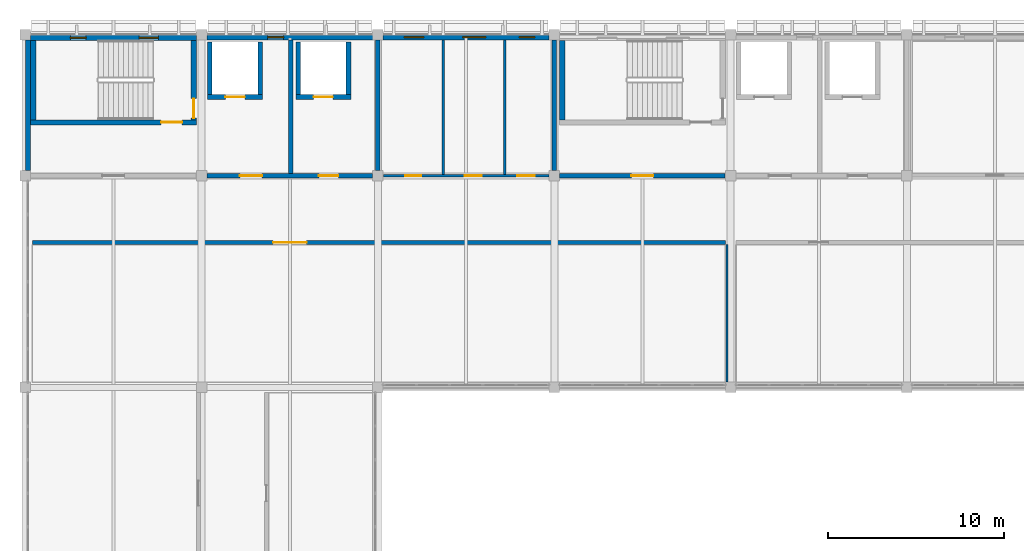
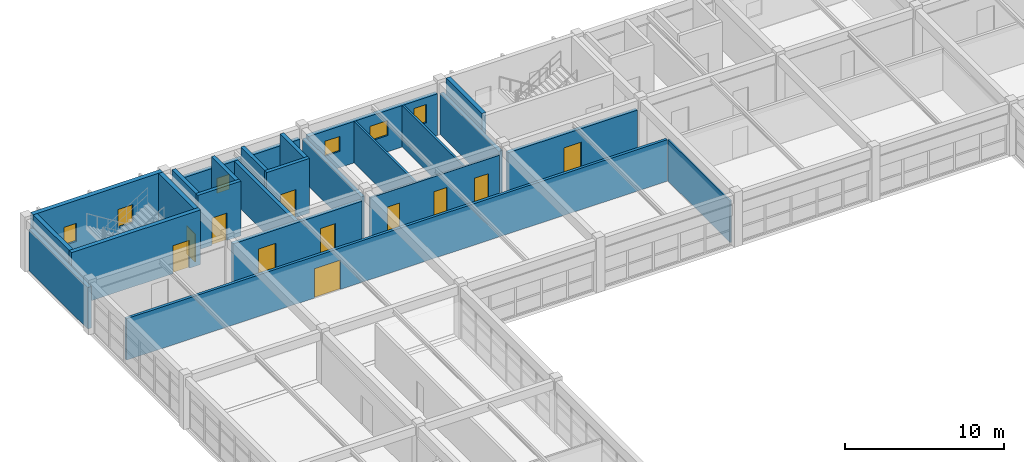
# One storey, part 21 of 28: 24 walls, 11 doors, 6 windows, 17 openings.
"""IFC4 building model written with IfcOpenShell, lengths in metres."""

from ifc_helpers import new_model, si_unit, direction, frame, frame_2d, origin, place, context, subcontext, project, spatial, rectangle, extrude, material, layer, layer_set, type_object, element, fill, save


model = new_model("IFC4")

# Units and contexts
model_context = context("Model", 3, precision=1e-05, world=origin(), true_north=direction((0.0, 1.0)))
body_context = subcontext(model_context, "Body", "Model", "MODEL_VIEW")
ifc_project = project(units=[si_unit("LENGTHUNIT", "METRE"), si_unit("AREAUNIT", "SQUARE_METRE"), si_unit("VOLUMEUNIT", "CUBIC_METRE"), si_unit("PLANEANGLEUNIT", "RADIAN"), si_unit("MASSUNIT", "GRAM", prefix="KILO")], contexts=[model_context])

# Site, building, storey
site_placement = place(None, origin())
site = spatial("IfcSite", under=ifc_project, at=site_placement, CompositionType="ELEMENT")
building_placement = place(site_placement, origin())
building = spatial("IfcBuilding", under=site, at=building_placement, Name="Kivolera Central Railway Station", CompositionType="ELEMENT")
storey_placement = place(building_placement, frame((0.0, 0.0, 18.60009765625)))
storey = spatial("IfcBuildingStorey", under=building, at=storey_placement, Name="L04", CompositionType="ELEMENT", Elevation=18.60009765625)

# Wall, opening, door
ifc_material_1 = material(Name="Swahili coral limestone", Category="masonry")
ifc_layer_1 = layer(ifc_material_1, 0.199951171875, Name="Swahili coral limestone")
ifc_layer_set_1 = layer_set([ifc_layer_1], Name="Swahili coral limestone")
wall_type_1 = type_object("IfcWallType", Name="WL-COR-200", PredefinedType="PARTITIONING", material=ifc_layer_set_1)
wall_1_placement = place(storey_placement, frame((118.39990234375, 122.219970703125, 0.0), z_axis=(0.0, 0.0, 1.0), x_axis=(1.0, 0.0, 0.0)))
wall_1 = element("IfcWall", 1, at=wall_1_placement, inside=storey, type_object=wall_type_1, Name="L04 Central Traffic Control Operations Office Corridor Wall", PredefinedType="PARTITIONING", context=body_context, shape_type="SweptSolid", body=[
    extrude(rectangle(XDim=39.300048828125, YDim=0.199951171875, at=frame_2d((19.64990234375, 0.0))), origin(), (0.0, 0.0, 1.0), 3.18798828125),
])
opening_1_placement = place(wall_1_placement, frame((13.64990234375, 0.0, 0.0)))
opening_1 = element("IfcOpeningElement", 2, at=opening_1_placement, cuts=wall_1, Name="Opening D-DB-05", PredefinedType="OPENING", context=body_context, shape_type="SweptSolid", body=[
    extrude(rectangle(XDim=1.89990234375, YDim=2.25, at=frame_2d((0.949951171875, 1.125))), frame((0.0, 0.10986328125, 0.0), z_axis=(0.0, -1.0, 0.0), x_axis=(1.0, 0.0, 0.0)), (0.0, 0.0, 1.0), 0.219970703125),
])
ifc_material_2 = material(Name="Anodised aluminium", Category="aluminium")
door_type_1 = type_object("IfcDoorType", Name="DR-D-DB-05", OperationType="NOTDEFINED", PredefinedType="DOOR", material=ifc_material_2)
door_1_placement = place(opening_1_placement, origin())
door_1 = element("IfcDoor", 3, at=door_1_placement, inside=storey, type_object=door_type_1, Name="L04 Central Traffic Control Operations Office Door", OperationType="DOUBLE_DOOR_SINGLE_SWING", OverallHeight=2.25, OverallWidth=1.89990234375, PredefinedType="DOOR", context=body_context, shape_type="SweptSolid", body=[
    extrude(rectangle(XDim=1.89990234375, YDim=2.25, at=frame_2d((0.949951171875, 1.125))), frame((0.0, 0.02490234375, 0.0), z_axis=(0.0, -1.0, 0.0), x_axis=(1.0, 0.0, 0.0)), (0.0, 0.0, 1.0), 0.050048828125),
])
fill(opening_1, door_1)

ifc_material_3 = material(Name="Concrete C40/50", Category="concrete")
ifc_layer_2 = layer(ifc_material_3, 0.300048828125, Name="Concrete C40/50")
ifc_layer_set_2 = layer_set([ifc_layer_2], Name="Concrete C40/50")
wall_type_2 = type_object("IfcWallType", Name="WL-CORE-300", PredefinedType="SHEAR", material=ifc_layer_set_2)
wall_2_placement = place(storey_placement, frame((127.699951171875, 129.030029296875, 0.0), z_axis=(0.0, 0.0, 1.0), x_axis=(-1.0, 0.0, 0.0)))
wall_2 = element("IfcWall", 4, at=wall_2_placement, inside=storey, type_object=wall_type_2, Name="L04 ST1 Core Right Shear Wall", PredefinedType="SHEAR", context=body_context, shape_type="SweptSolid", body=[
    extrude(rectangle(XDim=9.39990234375, YDim=0.300048828125, at=frame_2d((4.699951171875, 0.0))), origin(), (0.0, 0.0, 1.0), 4.199951171875),
])
opening_2_placement = place(wall_2_placement, frame((0.800048828125, 0.0, 0.0)))
opening_2 = element("IfcOpeningElement", 5, at=opening_2_placement, cuts=wall_2, Name="Opening D-STAIR-1200", PredefinedType="OPENING", context=body_context, shape_type="SweptSolid", body=[
    extrude(rectangle(XDim=1.199951171875, YDim=2.14990234375, at=frame_2d((0.60009765625, 1.074951171875))), frame((0.0, 0.159912109375, 0.0), z_axis=(0.0, -1.0, 0.0), x_axis=(1.0, 0.0, 0.0)), (0.0, 0.0, 1.0), 0.320068359375),
])
ifc_material_4 = material(Name="Hardwood mvule timber", Category="wood")
door_type_2 = type_object("IfcDoorType", Name="DR-D-STAIR-1200", OperationType="NOTDEFINED", PredefinedType="DOOR", material=ifc_material_4)
door_2_placement = place(opening_2_placement, origin())
door_2 = element("IfcDoor", 6, at=door_2_placement, inside=storey, type_object=door_type_2, Name="L04 ST1 Vestibule Fire Door", OperationType="SINGLE_SWING_LEFT", OverallHeight=2.14990234375, OverallWidth=1.199951171875, PredefinedType="DOOR", context=body_context, shape_type="SweptSolid", body=[
    extrude(rectangle(XDim=1.199951171875, YDim=2.14990234375, at=frame_2d((0.60009765625, 1.074951171875))), frame((0.0, 0.02490234375, 0.0), z_axis=(0.0, -1.0, 0.0), x_axis=(1.0, 0.0, 0.0)), (0.0, 0.0, 1.0), 0.050048828125),
])
fill(opening_2, door_2)

wall_3_placement = place(storey_placement, frame((127.550048828125, 133.679931640625, 0.0), z_axis=(0.0, 0.0, 1.0), x_axis=(0.0, -1.0, 0.0)))
wall_3 = element("IfcWall", 7, at=wall_3_placement, inside=storey, type_object=wall_type_2, Name="L04 ST1 Core Near Shear Wall", PredefinedType="SHEAR", context=body_context, shape_type="SweptSolid", body=[
    extrude(rectangle(XDim=4.5, YDim=0.300048828125, at=frame_2d((2.25, 0.0))), origin(), (0.0, 0.0, 1.0), 4.199951171875),
])
opening_3_placement = place(wall_3_placement, frame((3.300048828125, 0.0, 0.0)))
opening_3 = element("IfcOpeningElement", 8, at=opening_3_placement, cuts=wall_3, Name="Opening D-FFL-1100", PredefinedType="OPENING", context=body_context, shape_type="SweptSolid", body=[
    extrude(rectangle(XDim=1.10009765625, YDim=2.14990234375, at=frame_2d((0.550048828125, 1.074951171875))), frame((0.0, 0.159912109375, 0.0), z_axis=(0.0, -1.0, 0.0), x_axis=(1.0, 0.0, 0.0)), (0.0, 0.0, 1.0), 0.320068359375),
])
door_type_3 = type_object("IfcDoorType", Name="DR-D-FFL-1100", OperationType="NOTDEFINED", PredefinedType="DOOR", material=ifc_material_4)
door_3_placement = place(opening_3_placement, origin())
door_3 = element("IfcDoor", 9, at=door_3_placement, inside=storey, type_object=door_type_3, Name="L04 Firefighting Lobby to ST1 Fire Door", OperationType="SINGLE_SWING_RIGHT", OverallHeight=2.14990234375, OverallWidth=1.10009765625, PredefinedType="DOOR", context=body_context, shape_type="SweptSolid", body=[
    extrude(rectangle(XDim=1.10009765625, YDim=2.14990234375, at=frame_2d((0.550048828125, 1.074951171875))), frame((0.0, 0.02490234375, 0.0), z_axis=(0.0, -1.0, 0.0), x_axis=(1.0, 0.0, 0.0)), (0.0, 0.0, 1.0), 0.050048828125),
])
fill(opening_3, door_3)

# Walls
for number, where, z_axis, x_axis, name in (
    (10, (118.449951171875, 129.179931640625, 0.0), (0.0, 0.0, 1.0), (0.0, 1.0, 0.0), "L04 ST1 Core Far Shear Wall"),
    (11, (148.449951171875, 129.179931640625, 0.0), (0.0, 0.0, 1.0), (0.0, 1.0, 0.0), "L04 ST2 Core Far Shear Wall"),
):
    element("IfcWall", number, at=place(storey_placement, frame(where, z_axis=z_axis, x_axis=x_axis)), inside=storey, type_object=wall_type_2, Name=name, PredefinedType="SHEAR", context=body_context, shape_type="SweptSolid", body=[
        extrude(rectangle(XDim=4.5, YDim=0.300048828125, at=frame_2d((2.25, 0.0))), origin(), (0.0, 0.0, 1.0), 4.199951171875),
    ])

# Wall, openings, windows
ifc_layer_3 = layer(ifc_material_3, 0.320068359375, Name="Concrete C40/50")
ifc_layer_set_3 = layer_set([ifc_layer_3], Name="Concrete C40/50")
wall_type_3 = type_object("IfcWallType", Name="WL-CORE-EXT-320", PredefinedType="SHEAR", material=ifc_layer_set_3)
wall_4_placement = place(storey_placement, frame((118.294921875, 133.840087890625, 0.0), z_axis=(0.0, 0.0, 1.0), x_axis=(1.0, 0.0, 0.0)))
wall_4 = element("IfcWall", 12, at=wall_4_placement, inside=storey, type_object=wall_type_3, Name="L04 North Street Facade Wall Bay 1", PredefinedType="SHEAR", context=body_context, shape_type="SweptSolid", body=[
    extrude(rectangle(XDim=9.41015625, YDim=0.320068359375, at=frame_2d((4.705078125, 0.0))), origin(), (0.0, 0.0, 1.0), 4.199951171875),
])
opening_4_placement = place(wall_4_placement, frame((2.2548828125, 0.0, 1.050048828125)))
opening_4 = element("IfcOpeningElement", 13, at=opening_4_placement, cuts=wall_4, Name="Opening WN-13", PredefinedType="OPENING", context=body_context, shape_type="SweptSolid", body=[
    extrude(rectangle(XDim=0.89990234375, YDim=1.39990234375, at=frame_2d((0.449951171875, 0.699951171875))), frame((0.0, 0.169921875, 0.0), z_axis=(0.0, -1.0, 0.0), x_axis=(1.0, 0.0, 0.0)), (0.0, 0.0, 1.0), 0.340087890625),
])
opening_5_placement = place(wall_4_placement, frame((6.155029296875, 0.0, 1.050048828125)))
opening_5 = element("IfcOpeningElement", 14, at=opening_5_placement, cuts=wall_4, Name="Opening WN-14", PredefinedType="OPENING", context=body_context, shape_type="SweptSolid", body=[
    extrude(rectangle(XDim=1.10009765625, YDim=1.39990234375, at=frame_2d((0.550048828125, 0.699951171875))), frame((0.0, 0.169921875, 0.0), z_axis=(0.0, -1.0, 0.0), x_axis=(1.0, 0.0, 0.0)), (0.0, 0.0, 1.0), 0.340087890625),
])
ifc_material_5 = material(Name="Double low-E laminated glass", Category="glass")
window_type_1 = type_object("IfcWindowType", Name="WIN-WN-13", PartitioningType="SINGLE_PANEL", PredefinedType="WINDOW", material=ifc_material_5)
window_1_placement = place(opening_4_placement, origin())
window_1 = element("IfcWindow", 15, at=window_1_placement, inside=storey, type_object=window_type_1, Name="L04 North Street Window Bay 1.1", OverallHeight=1.39990234375, OverallWidth=0.89990234375, PartitioningType="SINGLE_PANEL", PredefinedType="WINDOW", context=body_context, shape_type="SweptSolid", body=[
    extrude(rectangle(XDim=0.89990234375, YDim=1.39990234375, at=frame_2d((0.449951171875, 0.699951171875))), frame((0.0, 0.030029296875, 0.0), z_axis=(0.0, -1.0, 0.0), x_axis=(1.0, 0.0, 0.0)), (0.0, 0.0, 1.0), 0.06005859375),
])
fill(opening_4, window_1)
window_type_2 = type_object("IfcWindowType", Name="WIN-WN-14", PartitioningType="SINGLE_PANEL", PredefinedType="WINDOW", material=ifc_material_5)
window_2_placement = place(opening_5_placement, origin())
window_2 = element("IfcWindow", 16, at=window_2_placement, inside=storey, type_object=window_type_2, Name="L04 North Street Window Bay 1.2", OverallHeight=1.39990234375, OverallWidth=1.10009765625, PartitioningType="SINGLE_PANEL", PredefinedType="WINDOW", context=body_context, shape_type="SweptSolid", body=[
    extrude(rectangle(XDim=1.10009765625, YDim=1.39990234375, at=frame_2d((0.550048828125, 0.699951171875))), frame((0.0, 0.030029296875, 0.0), z_axis=(0.0, -1.0, 0.0), x_axis=(1.0, 0.0, 0.0)), (0.0, 0.0, 1.0), 0.06005859375),
])
fill(opening_5, window_2)

# Wall, opening, window
ifc_layer_4 = layer(ifc_material_1, 0.2900390625, Name="Swahili coral limestone")
ifc_layer_set_4 = layer_set([ifc_layer_4], Name="Swahili coral limestone")
wall_type_4 = type_object("IfcWallType", Name="WL-EXT-CORAL-290", PredefinedType="SOLIDWALL", material=ifc_layer_set_4)
wall_5_placement = place(storey_placement, frame((128.294921875, 133.85498046875, 0.0), z_axis=(0.0, 0.0, 1.0), x_axis=(1.0, 0.0, 0.0)))
wall_5 = element("IfcWall", 17, at=wall_5_placement, inside=storey, type_object=wall_type_4, Name="L04 North Street Facade Wall Bay 2", PredefinedType="SOLIDWALL", context=body_context, shape_type="SweptSolid", body=[
    extrude(rectangle(XDim=9.41015625, YDim=0.2900390625, at=frame_2d((4.705078125, 0.0))), origin(), (0.0, 0.0, 1.0), 3.18798828125),
])
opening_6_placement = place(wall_5_placement, frame((3.455078125, 0.0, 1.050048828125)))
opening_6 = element("IfcOpeningElement", 18, at=opening_6_placement, cuts=wall_5, Name="Opening WN-01", PredefinedType="OPENING", context=body_context, shape_type="SweptSolid", body=[
    extrude(rectangle(XDim=0.89990234375, YDim=1.14990234375, at=frame_2d((0.449951171875, 0.574951171875))), frame((0.0, 0.155029296875, 0.0), z_axis=(0.0, -1.0, 0.0), x_axis=(1.0, 0.0, 0.0)), (0.0, 0.0, 1.0), 0.31005859375),
])
window_type_3 = type_object("IfcWindowType", Name="WIN-WN-01", PartitioningType="SINGLE_PANEL", PredefinedType="WINDOW", material=ifc_material_5)
window_3_placement = place(opening_6_placement, origin())
window_3 = element("IfcWindow", 19, at=window_3_placement, inside=storey, type_object=window_type_3, Name="L04 North Street Window Bay 2.1", OverallHeight=1.14990234375, OverallWidth=0.89990234375, PartitioningType="SINGLE_PANEL", PredefinedType="WINDOW", context=body_context, shape_type="SweptSolid", body=[
    extrude(rectangle(XDim=0.89990234375, YDim=1.14990234375, at=frame_2d((0.449951171875, 0.574951171875))), frame((0.0, 0.030029296875, 0.0), z_axis=(0.0, -1.0, 0.0), x_axis=(1.0, 0.0, 0.0)), (0.0, 0.0, 1.0), 0.06005859375),
])
fill(opening_6, window_3)

# Wall, openings, windows
wall_6_placement = place(storey_placement, frame((138.294921875, 133.85498046875, 0.0), z_axis=(0.0, 0.0, 1.0), x_axis=(1.0, 0.0, 0.0)))
wall_6 = element("IfcWall", 20, at=wall_6_placement, inside=storey, type_object=wall_type_4, Name="L04 North Street Facade Wall Bay 3", PredefinedType="SOLIDWALL", context=body_context, shape_type="SweptSolid", body=[
    extrude(rectangle(XDim=9.41015625, YDim=0.2900390625, at=frame_2d((4.705078125, 0.0))), origin(), (0.0, 0.0, 1.0), 3.18798828125),
])
opening_7_placement = place(wall_6_placement, frame((1.205078125, 0.0, 1.25)))
opening_7 = element("IfcOpeningElement", 21, at=opening_7_placement, cuts=wall_6, Name="Opening WN-02", PredefinedType="OPENING", context=body_context, shape_type="SweptSolid", body=[
    extrude(rectangle(XDim=1.10009765625, YDim=1.14990234375, at=frame_2d((0.550048828125, 0.574951171875))), frame((0.0, 0.155029296875, 0.0), z_axis=(0.0, -1.0, 0.0), x_axis=(1.0, 0.0, 0.0)), (0.0, 0.0, 1.0), 0.31005859375),
])
opening_8_placement = place(wall_6_placement, frame((4.5048828125, 0.0, 1.25)))
opening_8 = element("IfcOpeningElement", 22, at=opening_8_placement, cuts=wall_6, Name="Opening WN-03", PredefinedType="OPENING", context=body_context, shape_type="SweptSolid", body=[
    extrude(rectangle(XDim=1.300048828125, YDim=1.14990234375, at=frame_2d((0.64990234375, 0.574951171875))), frame((0.0, 0.155029296875, 0.0), z_axis=(0.0, -1.0, 0.0), x_axis=(1.0, 0.0, 0.0)), (0.0, 0.0, 1.0), 0.31005859375),
])
opening_9_placement = place(wall_6_placement, frame((7.705078125, 0.0, 1.25)))
opening_9 = element("IfcOpeningElement", 23, at=opening_9_placement, cuts=wall_6, Name="Opening WN-13", PredefinedType="OPENING", context=body_context, shape_type="SweptSolid", body=[
    extrude(rectangle(XDim=0.89990234375, YDim=1.39990234375, at=frame_2d((0.449951171875, 0.699951171875))), frame((0.0, 0.155029296875, 0.0), z_axis=(0.0, -1.0, 0.0), x_axis=(1.0, 0.0, 0.0)), (0.0, 0.0, 1.0), 0.31005859375),
])
window_type_4 = type_object("IfcWindowType", Name="WIN-WN-02", PartitioningType="SINGLE_PANEL", PredefinedType="WINDOW", material=ifc_material_5)
window_4_placement = place(opening_7_placement, origin())
window_4 = element("IfcWindow", 24, at=window_4_placement, inside=storey, type_object=window_type_4, Name="L04 North Street Window Bay 3.1", OverallHeight=1.14990234375, OverallWidth=1.10009765625, PartitioningType="SINGLE_PANEL", PredefinedType="WINDOW", context=body_context, shape_type="SweptSolid", body=[
    extrude(rectangle(XDim=1.10009765625, YDim=1.14990234375, at=frame_2d((0.550048828125, 0.574951171875))), frame((0.0, 0.030029296875, 0.0), z_axis=(0.0, -1.0, 0.0), x_axis=(1.0, 0.0, 0.0)), (0.0, 0.0, 1.0), 0.06005859375),
])
fill(opening_7, window_4)
window_type_5 = type_object("IfcWindowType", Name="WIN-WN-03", PartitioningType="SINGLE_PANEL", PredefinedType="WINDOW", material=ifc_material_5)
window_5_placement = place(opening_8_placement, origin())
window_5 = element("IfcWindow", 25, at=window_5_placement, inside=storey, type_object=window_type_5, Name="L04 North Street Window Bay 3.2", OverallHeight=1.14990234375, OverallWidth=1.300048828125, PartitioningType="SINGLE_PANEL", PredefinedType="WINDOW", context=body_context, shape_type="SweptSolid", body=[
    extrude(rectangle(XDim=1.300048828125, YDim=1.14990234375, at=frame_2d((0.64990234375, 0.574951171875))), frame((0.0, 0.030029296875, 0.0), z_axis=(0.0, -1.0, 0.0), x_axis=(1.0, 0.0, 0.0)), (0.0, 0.0, 1.0), 0.06005859375),
])
fill(opening_8, window_5)
window_6_placement = place(opening_9_placement, origin())
window_6 = element("IfcWindow", 26, at=window_6_placement, inside=storey, type_object=window_type_1, Name="L04 North Street Window Bay 3.3", OverallHeight=1.39990234375, OverallWidth=0.89990234375, PartitioningType="SINGLE_PANEL", PredefinedType="WINDOW", context=body_context, shape_type="SweptSolid", body=[
    extrude(rectangle(XDim=0.89990234375, YDim=1.39990234375, at=frame_2d((0.449951171875, 0.699951171875))), frame((0.0, 0.030029296875, 0.0), z_axis=(0.0, -1.0, 0.0), x_axis=(1.0, 0.0, 0.0)), (0.0, 0.0, 1.0), 0.06005859375),
])
fill(opening_9, window_6)

# Wall
wall_7_placement = place(storey_placement, frame((118.14501953125, 126.294921875, 0.0), z_axis=(0.0, 0.0, 1.0), x_axis=(0.0, 1.0, 0.0)))
element("IfcWall", 27, at=wall_7_placement, inside=storey, type_object=wall_type_4, Name="L04 West Facade Wall L-M", PredefinedType="SOLIDWALL", context=body_context, shape_type="SweptSolid", body=[
    extrude(rectangle(XDim=7.41015625, YDim=0.2900390625, at=frame_2d((3.705078125, 0.0))), origin(), (0.0, 0.0, 1.0), 3.18798828125),
])

# Wall, openings, doors
ifc_layer_5 = layer(ifc_material_3, 0.25, Name="Concrete C40/50")
ifc_layer_set_5 = layer_set([ifc_layer_5], Name="Concrete C40/50")
wall_type_5 = type_object("IfcWallType", Name="WL-FFL-250", PredefinedType="PARTITIONING", material=ifc_layer_set_5)
wall_8_placement = place(storey_placement, frame((128.304931640625, 126.0, 0.0), z_axis=(0.0, 0.0, 1.0), x_axis=(1.0, 0.0, 0.0)))
wall_8 = element("IfcWall", 28, at=wall_8_placement, inside=storey, type_object=wall_type_5, Name="L04 North Core Corridor Wall 128", PredefinedType="PARTITIONING", context=body_context, shape_type="SweptSolid", body=[
    extrude(rectangle(XDim=9.39013671875, YDim=0.25, at=frame_2d((4.695068359375, 0.0))), origin(), (0.0, 0.0, 1.0), 3.18798828125),
])
opening_10_placement = place(wall_8_placement, frame((1.8701171875, 0.0, 0.0)))
opening_10 = element("IfcOpeningElement", 29, at=opening_10_placement, cuts=wall_8, Name="Opening D-FFL-1250", PredefinedType="OPENING", context=body_context, shape_type="SweptSolid", body=[
    extrude(rectangle(XDim=1.25, YDim=2.14990234375, at=frame_2d((0.625, 1.074951171875))), frame((0.0, 0.135009765625, 0.0), z_axis=(0.0, -1.0, 0.0), x_axis=(1.0, 0.0, 0.0)), (0.0, 0.0, 1.0), 0.27001953125),
])
opening_11_placement = place(wall_8_placement, frame((6.344970703125, 0.0, 0.0)))
opening_11 = element("IfcOpeningElement", 30, at=opening_11_placement, cuts=wall_8, Name="Opening D-FFL-1100", PredefinedType="OPENING", context=body_context, shape_type="SweptSolid", body=[
    extrude(rectangle(XDim=1.10009765625, YDim=2.14990234375, at=frame_2d((0.550048828125, 1.074951171875))), frame((0.0, 0.135009765625, 0.0), z_axis=(0.0, -1.0, 0.0), x_axis=(1.0, 0.0, 0.0)), (0.0, 0.0, 1.0), 0.27001953125),
])
door_4_placement = place(opening_11_placement, origin())
door_4 = element("IfcDoor", 31, at=door_4_placement, inside=storey, type_object=door_type_3, Name="L04 PL1 Lift Lobby Door", OperationType="SINGLE_SWING_LEFT", OverallHeight=2.14990234375, OverallWidth=1.10009765625, PredefinedType="DOOR", context=body_context, shape_type="SweptSolid", body=[
    extrude(rectangle(XDim=1.10009765625, YDim=2.14990234375, at=frame_2d((0.550048828125, 1.074951171875))), frame((0.0, 0.02490234375, 0.0), z_axis=(0.0, -1.0, 0.0), x_axis=(1.0, 0.0, 0.0)), (0.0, 0.0, 1.0), 0.050048828125),
])
fill(opening_11, door_4)
door_type_4 = type_object("IfcDoorType", Name="DR-D-FFL-1250", OperationType="NOTDEFINED", PredefinedType="DOOR", material=ifc_material_4)
door_5_placement = place(opening_10_placement, origin())
door_5 = element("IfcDoor", 32, at=door_5_placement, inside=storey, type_object=door_type_4, Name="L04 FL1 Firefighting Lobby Corridor Fire Door", OperationType="SINGLE_SWING_RIGHT", OverallHeight=2.14990234375, OverallWidth=1.25, PredefinedType="DOOR", context=body_context, shape_type="SweptSolid", body=[
    extrude(rectangle(XDim=1.25, YDim=2.14990234375, at=frame_2d((0.625, 1.074951171875))), frame((0.0, 0.02490234375, 0.0), z_axis=(0.0, -1.0, 0.0), x_axis=(1.0, 0.0, 0.0)), (0.0, 0.0, 1.0), 0.050048828125),
])
fill(opening_10, door_5)

# Wall, opening, door
wall_9_placement = place(storey_placement, frame((148.304931640625, 126.0, 0.0), z_axis=(0.0, 0.0, 1.0), x_axis=(1.0, 0.0, 0.0)))
wall_9 = element("IfcWall", 33, at=wall_9_placement, inside=storey, type_object=wall_type_5, Name="L04 North Core Corridor Wall 148", PredefinedType="PARTITIONING", context=body_context, shape_type="SweptSolid", body=[
    extrude(rectangle(XDim=9.39013671875, YDim=0.25, at=frame_2d((4.695068359375, 0.0))), origin(), (0.0, 0.0, 1.0), 3.18798828125),
])
opening_12_placement = place(wall_9_placement, frame((4.070068359375, 0.0, 0.0)))
opening_12 = element("IfcOpeningElement", 34, at=opening_12_placement, cuts=wall_9, Name="Opening D-FFL-1250", PredefinedType="OPENING", context=body_context, shape_type="SweptSolid", body=[
    extrude(rectangle(XDim=1.25, YDim=2.14990234375, at=frame_2d((0.625, 1.074951171875))), frame((0.0, 0.135009765625, 0.0), z_axis=(0.0, -1.0, 0.0), x_axis=(1.0, 0.0, 0.0)), (0.0, 0.0, 1.0), 0.27001953125),
])
door_6_placement = place(opening_12_placement, origin())
door_6 = element("IfcDoor", 35, at=door_6_placement, inside=storey, type_object=door_type_4, Name="L04 ST2 Vestibule Corridor Door", OperationType="SINGLE_SWING_LEFT", OverallHeight=2.14990234375, OverallWidth=1.25, PredefinedType="DOOR", context=body_context, shape_type="SweptSolid", body=[
    extrude(rectangle(XDim=1.25, YDim=2.14990234375, at=frame_2d((0.625, 1.074951171875))), frame((0.0, 0.02490234375, 0.0), z_axis=(0.0, -1.0, 0.0), x_axis=(1.0, 0.0, 0.0)), (0.0, 0.0, 1.0), 0.050048828125),
])
fill(opening_12, door_6)

# Walls
wall_10_placement = place(storey_placement, frame((133.050048828125, 126.125, 0.0), z_axis=(0.0, 0.0, 1.0), x_axis=(0.0, 1.0, 0.0)))
element("IfcWall", 36, at=wall_10_placement, inside=storey, type_object=wall_type_5, Name="L04 North Core Partition FFL1-DIV", PredefinedType="PARTITIONING", context=body_context, shape_type="SweptSolid", body=[
    extrude(rectangle(XDim=7.5849609375, YDim=0.25, at=frame_2d((3.79248046875, 0.0))), origin(), (0.0, 0.0, 1.0), 3.18798828125),
])
for number, where, z_axis, x_axis, name in (
    (37, (138.0, 126.304931640625, 0.0), (0.0, 0.0, 1.0), (0.0, 1.0, 0.0), "L04 North Core Partition GRID-138"),
    (38, (148.0, 126.304931640625, 0.0), (0.0, 0.0, 1.0), (0.0, 1.0, 0.0), "L04 North Core Partition GRID-148"),
):
    element("IfcWall", number, at=place(storey_placement, frame(where, z_axis=z_axis, x_axis=x_axis)), inside=storey, type_object=wall_type_5, Name=name, PredefinedType="PARTITIONING", context=body_context, shape_type="SweptSolid", body=[
        extrude(rectangle(XDim=7.39013671875, YDim=0.25, at=frame_2d((3.695068359375, 0.0))), origin(), (0.0, 0.0, 1.0), 3.18798828125),
    ])
ifc_material_6 = material(Name="Gypsum plasterboard steel-stud partition")
ifc_layer_6 = layer(ifc_material_6, 0.1201171875, Name="Gypsum plasterboard steel-stud partition")
ifc_layer_set_6 = layer_set([ifc_layer_6], Name="Gypsum plasterboard steel-stud partition")
wall_type_6 = type_object("IfcWallType", Name="WL-PRT-120", PredefinedType="PARTITIONING", material=ifc_layer_set_6)
wall_11_placement = place(storey_placement, frame((157.800048828125, 114.300048828125, 0.0), z_axis=(0.0, 0.0, 1.0), x_axis=(0.0, 1.0, 0.0)))
element("IfcWall", 39, at=wall_11_placement, inside=storey, type_object=wall_type_6, Name="L04 Central Traffic Control Operations Office Partition Wall", PredefinedType="PARTITIONING", context=body_context, shape_type="SweptSolid", body=[
    extrude(rectangle(XDim=7.800048828125, YDim=0.1201171875, at=frame_2d((3.89990234375, 0.0))), origin(), (0.0, 0.0, 1.0), 3.18798828125),
])

# Wall, openings, doors
ifc_layer_7 = layer(ifc_material_6, 0.14990234375, Name="Gypsum plasterboard steel-stud partition")
ifc_layer_set_7 = layer_set([ifc_layer_7], Name="Gypsum plasterboard steel-stud partition")
wall_type_7 = type_object("IfcWallType", Name="WL-PRT-150", PredefinedType="PARTITIONING", material=ifc_layer_set_7)
wall_12_placement = place(storey_placement, frame((138.304931640625, 126.0, 0.0), z_axis=(0.0, 0.0, 1.0), x_axis=(1.0, 0.0, 0.0)))
wall_12 = element("IfcWall", 40, at=wall_12_placement, inside=storey, type_object=wall_type_7, Name="L04 North Core Corridor Wall 138", PredefinedType="PARTITIONING", context=body_context, shape_type="SweptSolid", body=[
    extrude(rectangle(XDim=9.39013671875, YDim=0.14990234375, at=frame_2d((4.695068359375, 0.0))), origin(), (0.0, 0.0, 1.0), 3.18798828125),
])
opening_13_placement = place(wall_12_placement, frame((1.2451171875, 0.0, 0.0)))
opening_13 = element("IfcOpeningElement", 41, at=opening_13_placement, cuts=wall_12, Name="Opening D-WC-0900", PredefinedType="OPENING", context=body_context, shape_type="SweptSolid", body=[
    extrude(rectangle(XDim=0.89990234375, YDim=2.050048828125, at=frame_2d((0.449951171875, 1.02490234375))), frame((0.0, 0.0849609375, 0.0), z_axis=(0.0, -1.0, 0.0), x_axis=(1.0, 0.0, 0.0)), (0.0, 0.0, 1.0), 0.169921875),
])
opening_14_placement = place(wall_12_placement, frame((4.6201171875, 0.0, 0.0)))
opening_14 = element("IfcOpeningElement", 42, at=opening_14_placement, cuts=wall_12, Name="Opening D-WC-0950", PredefinedType="OPENING", context=body_context, shape_type="SweptSolid", body=[
    extrude(rectangle(XDim=0.949951171875, YDim=2.050048828125, at=frame_2d((0.47509765625, 1.02490234375))), frame((0.0, 0.0849609375, 0.0), z_axis=(0.0, -1.0, 0.0), x_axis=(1.0, 0.0, 0.0)), (0.0, 0.0, 1.0), 0.169921875),
])
opening_15_placement = place(wall_12_placement, frame((7.594970703125, 0.0, 0.0)))
opening_15 = element("IfcOpeningElement", 43, at=opening_15_placement, cuts=wall_12, Name="Opening D-ACC-1000", PredefinedType="OPENING", context=body_context, shape_type="SweptSolid", body=[
    extrude(rectangle(XDim=1.0, YDim=2.050048828125, at=frame_2d((0.5, 1.02490234375))), frame((0.0, 0.0849609375, 0.0), z_axis=(0.0, -1.0, 0.0), x_axis=(1.0, 0.0, 0.0)), (0.0, 0.0, 1.0), 0.169921875),
])
door_type_5 = type_object("IfcDoorType", Name="DR-D-ACC-1000", OperationType="NOTDEFINED", PredefinedType="DOOR", material=ifc_material_4)
door_7_placement = place(opening_15_placement, origin())
door_7 = element("IfcDoor", 44, at=door_7_placement, inside=storey, type_object=door_type_5, Name="L04 Accessible Washroom Door", OperationType="SINGLE_SWING_RIGHT", OverallHeight=2.050048828125, OverallWidth=1.0, PredefinedType="DOOR", context=body_context, shape_type="SweptSolid", body=[
    extrude(rectangle(XDim=1.0, YDim=2.050048828125, at=frame_2d((0.5, 1.02490234375))), frame((0.0, 0.02490234375, 0.0), z_axis=(0.0, -1.0, 0.0), x_axis=(1.0, 0.0, 0.0)), (0.0, 0.0, 1.0), 0.050048828125),
])
fill(opening_15, door_7)
door_type_6 = type_object("IfcDoorType", Name="DR-D-WC-0900", OperationType="NOTDEFINED", PredefinedType="DOOR", material=ifc_material_4)
door_8_placement = place(opening_13_placement, origin())
door_8 = element("IfcDoor", 45, at=door_8_placement, inside=storey, type_object=door_type_6, Name="L04 Male Washroom Door", OperationType="SINGLE_SWING_RIGHT", OverallHeight=2.050048828125, OverallWidth=0.89990234375, PredefinedType="DOOR", context=body_context, shape_type="SweptSolid", body=[
    extrude(rectangle(XDim=0.89990234375, YDim=2.050048828125, at=frame_2d((0.449951171875, 1.02490234375))), frame((0.0, 0.02490234375, 0.0), z_axis=(0.0, -1.0, 0.0), x_axis=(1.0, 0.0, 0.0)), (0.0, 0.0, 1.0), 0.050048828125),
])
fill(opening_13, door_8)
door_type_7 = type_object("IfcDoorType", Name="DR-D-WC-0950", OperationType="NOTDEFINED", PredefinedType="DOOR", material=ifc_material_4)
door_9_placement = place(opening_14_placement, origin())
door_9 = element("IfcDoor", 46, at=door_9_placement, inside=storey, type_object=door_type_7, Name="L04 Female Washroom Door", OperationType="SINGLE_SWING_LEFT", OverallHeight=2.050048828125, OverallWidth=0.949951171875, PredefinedType="DOOR", context=body_context, shape_type="SweptSolid", body=[
    extrude(rectangle(XDim=0.949951171875, YDim=2.050048828125, at=frame_2d((0.47509765625, 1.02490234375))), frame((0.0, 0.02490234375, 0.0), z_axis=(0.0, -1.0, 0.0), x_axis=(1.0, 0.0, 0.0)), (0.0, 0.0, 1.0), 0.050048828125),
])
fill(opening_14, door_9)

# Walls
for number, where, z_axis, x_axis, name in (
    (47, (141.699951171875, 126.074951171875, 0.0), (0.0, 0.0, 1.0), (0.0, 1.0, 0.0), "L04 North Core Partition WC-DIV1"),
    (48, (145.199951171875, 126.074951171875, 0.0), (0.0, 0.0, 1.0), (0.0, 1.0, 0.0), "L04 North Core Partition WC-DIV2"),
):
    element("IfcWall", number, at=place(storey_placement, frame(where, z_axis=z_axis, x_axis=x_axis)), inside=storey, type_object=wall_type_7, Name=name, PredefinedType="PARTITIONING", context=body_context, shape_type="SweptSolid", body=[
        extrude(rectangle(XDim=7.635009765625, YDim=0.14990234375, at=frame_2d((3.8173828125, 0.0))), origin(), (0.0, 0.0, 1.0), 3.18798828125),
    ])

# Wall, opening, door
ifc_layer_8 = layer(ifc_material_3, 0.260009765625, Name="Concrete C40/50")
ifc_layer_set_8 = layer_set([ifc_layer_8], Name="Concrete C40/50")
wall_type_8 = type_object("IfcWallType", Name="WL-SHAFT-260", PredefinedType="SHEAR", material=ifc_layer_set_8)
wall_13_placement = place(storey_placement, frame((128.340087890625, 130.469970703125, 0.0), z_axis=(0.0, 0.0, 1.0), x_axis=(1.0, 0.0, 0.0)))
wall_13 = element("IfcWall", 49, at=wall_13_placement, inside=storey, type_object=wall_type_8, Name="L04 Lift FL1 Front Shaft Wall", PredefinedType="SHEAR", context=body_context, shape_type="SweptSolid", body=[
    extrude(rectangle(XDim=3.119873046875, YDim=0.260009765625, at=frame_2d((1.56005859375, 0.0))), origin(), (0.0, 0.0, 1.0), 4.199951171875),
])
opening_16_placement = place(wall_13_placement, frame((1.010009765625, 0.0, 0.0)))
opening_16 = element("IfcOpeningElement", 50, at=opening_16_placement, cuts=wall_13, Name="Opening LD-FFL-1100", PredefinedType="OPENING", context=body_context, shape_type="SweptSolid", body=[
    extrude(rectangle(XDim=1.10009765625, YDim=2.10009765625, at=frame_2d((0.550048828125, 1.050048828125))), frame((0.0, 0.139892578125, 0.0), z_axis=(0.0, -1.0, 0.0), x_axis=(1.0, 0.0, 0.0)), (0.0, 0.0, 1.0), 0.280029296875),
])
door_type_8 = type_object("IfcDoorType", Name="DR-LD-FFL-1100", OperationType="NOTDEFINED", PredefinedType="DOOR", material=ifc_material_2)
door_10_placement = place(opening_16_placement, origin())
door_10 = element("IfcDoor", 51, at=door_10_placement, inside=storey, type_object=door_type_8, Name="L04 Lift FL1 Sliding Landing Door", OperationType="SLIDING_TO_LEFT", OverallHeight=2.10009765625, OverallWidth=1.10009765625, PredefinedType="DOOR", context=body_context, shape_type="SweptSolid", body=[
    extrude(rectangle(XDim=1.10009765625, YDim=2.10009765625, at=frame_2d((0.550048828125, 1.050048828125))), frame((0.0, 0.02490234375, 0.0), z_axis=(0.0, -1.0, 0.0), x_axis=(1.0, 0.0, 0.0)), (0.0, 0.0, 1.0), 0.050048828125),
])
fill(opening_16, door_10)

# Walls
for number, where, z_axis, x_axis, name in (
    (52, (128.469970703125, 130.60009765625, 0.0), (0.0, 0.0, 1.0), (0.0, 1.0, 0.0), "L04 Lift FL1 West Shaft Wall"),
    (53, (131.330078125, 130.60009765625, 0.0), (0.0, 0.0, 1.0), (0.0, 1.0, 0.0), "L04 Lift FL1 East Shaft Wall"),
):
    element("IfcWall", number, at=place(storey_placement, frame(where, z_axis=z_axis, x_axis=x_axis)), inside=storey, type_object=wall_type_8, Name=name, PredefinedType="SHEAR", context=body_context, shape_type="SweptSolid", body=[
        extrude(rectangle(XDim=3.0, YDim=0.260009765625, at=frame_2d((1.5, 0.0))), origin(), (0.0, 0.0, 1.0), 4.199951171875),
    ])

# Wall, opening, door
wall_14_placement = place(storey_placement, frame((133.340087890625, 130.469970703125, 0.0), z_axis=(0.0, 0.0, 1.0), x_axis=(1.0, 0.0, 0.0)))
wall_14 = element("IfcWall", 54, at=wall_14_placement, inside=storey, type_object=wall_type_8, Name="L04 Lift PL1 Front Shaft Wall", PredefinedType="SHEAR", context=body_context, shape_type="SweptSolid", body=[
    extrude(rectangle(XDim=3.119873046875, YDim=0.260009765625, at=frame_2d((1.56005859375, 0.0))), origin(), (0.0, 0.0, 1.0), 4.199951171875),
])
opening_17_placement = place(wall_14_placement, frame((1.010009765625, 0.0, 0.0)))
opening_17 = element("IfcOpeningElement", 55, at=opening_17_placement, cuts=wall_14, Name="Opening LD-PAX-1100", PredefinedType="OPENING", context=body_context, shape_type="SweptSolid", body=[
    extrude(rectangle(XDim=1.10009765625, YDim=2.14990234375, at=frame_2d((0.550048828125, 1.074951171875))), frame((0.0, 0.139892578125, 0.0), z_axis=(0.0, -1.0, 0.0), x_axis=(1.0, 0.0, 0.0)), (0.0, 0.0, 1.0), 0.280029296875),
])
door_type_9 = type_object("IfcDoorType", Name="DR-LD-PAX-1100", OperationType="NOTDEFINED", PredefinedType="DOOR", material=ifc_material_2)
door_11_placement = place(opening_17_placement, origin())
door_11 = element("IfcDoor", 56, at=door_11_placement, inside=storey, type_object=door_type_9, Name="L04 Lift PL1 Sliding Landing Door", OperationType="SLIDING_TO_LEFT", OverallHeight=2.14990234375, OverallWidth=1.10009765625, PredefinedType="DOOR", context=body_context, shape_type="SweptSolid", body=[
    extrude(rectangle(XDim=1.10009765625, YDim=2.14990234375, at=frame_2d((0.550048828125, 1.074951171875))), frame((0.0, 0.02490234375, 0.0), z_axis=(0.0, -1.0, 0.0), x_axis=(1.0, 0.0, 0.0)), (0.0, 0.0, 1.0), 0.050048828125),
])
fill(opening_17, door_11)

# Walls
for number, where, z_axis, x_axis, name in (
    (57, (133.469970703125, 130.60009765625, 0.0), (0.0, 0.0, 1.0), (0.0, 1.0, 0.0), "L04 Lift PL1 West Shaft Wall"),
    (58, (136.330078125, 130.60009765625, 0.0), (0.0, 0.0, 1.0), (0.0, 1.0, 0.0), "L04 Lift PL1 East Shaft Wall"),
):
    element("IfcWall", number, at=place(storey_placement, frame(where, z_axis=z_axis, x_axis=x_axis)), inside=storey, type_object=wall_type_8, Name=name, PredefinedType="SHEAR", context=body_context, shape_type="SweptSolid", body=[
        extrude(rectangle(XDim=3.0, YDim=0.260009765625, at=frame_2d((1.5, 0.0))), origin(), (0.0, 0.0, 1.0), 4.199951171875),
    ])

save(model, "model.ifc")
